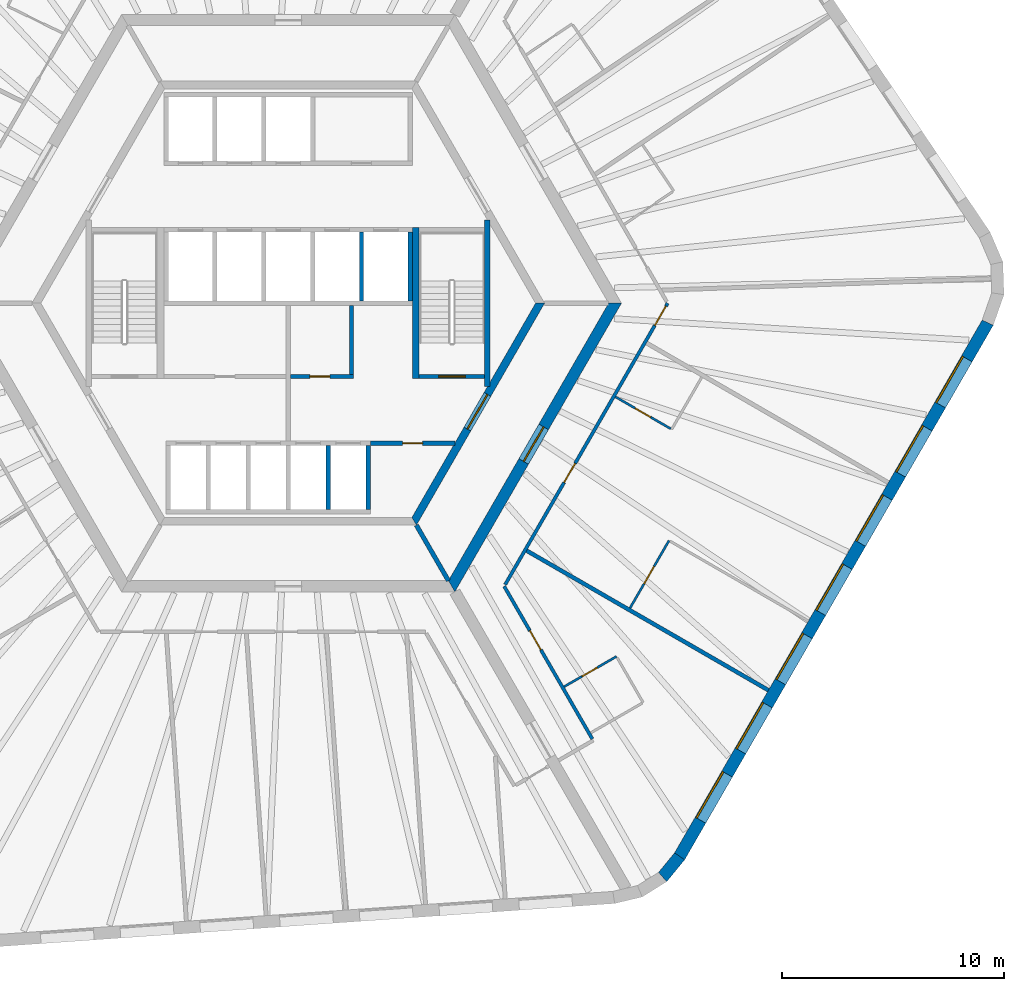
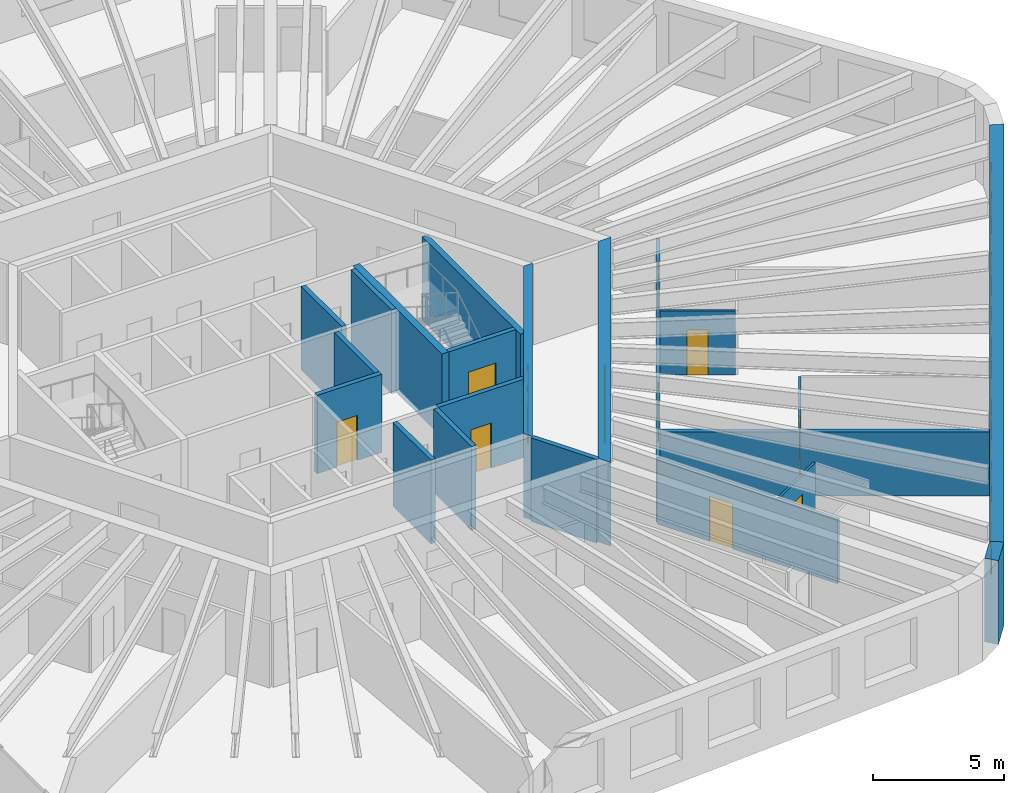
# One storey, part 5 of 10: 21 walls, 11 doors, 7 windows, 18 openings.
"""IFC4 building model written with IfcOpenShell, lengths in metres."""

from ifc_helpers import new_model, si_unit, direction, frame, frame_2d, origin, place, context, subcontext, project, spatial, polyline, rectangle, outline, extrude, material, layer, layer_set, type_object, element, fill, save


model = new_model("IFC4")

# Units and contexts
model_context = context("Model", 3, precision=1e-05, world=origin(), true_north=direction((0.0, 1.0)))
body_context = subcontext(model_context, "Body", "Model", "MODEL_VIEW")
ifc_project = project(units=[si_unit("LENGTHUNIT", "METRE"), si_unit("AREAUNIT", "SQUARE_METRE"), si_unit("VOLUMEUNIT", "CUBIC_METRE"), si_unit("PLANEANGLEUNIT", "RADIAN"), si_unit("MASSUNIT", "GRAM", prefix="KILO")], contexts=[model_context])

# Site, building, storey
site_placement = place(None, origin())
site = spatial("IfcSite", under=ifc_project, at=site_placement, CompositionType="ELEMENT")
building_placement = place(site_placement, origin())
building = spatial("IfcBuilding", under=site, at=building_placement, Name="Tarnside Tower", CompositionType="ELEMENT")
storey_placement = place(building_placement, frame((0.0, 0.0, 230.699951171875)))
storey = spatial("IfcBuildingStorey", under=building, at=storey_placement, Name="L55", CompositionType="ELEMENT", Elevation=230.699951171875)

# Wall, opening, door
ifc_material_1 = material(Name="Gypsum board partition on steel studs", Category="steel")
ifc_layer_1 = layer(ifc_material_1, 0.10009765625)
ifc_layer_set_1 = layer_set([ifc_layer_1], Name="Bathroom wall 100")
wall_type_1 = type_object("IfcWallType", Name="Bathroom wall 100", PredefinedType="PARTITIONING", material=ifc_layer_set_1)
wall_1_placement = place(storey_placement, frame((12.4267578125, -17.273681640625, 0.0), z_axis=(0.0, 0.0, 1.0), x_axis=(0.866051307416, 0.49995513091, 0.0)))
wall_1 = element("IfcWall", 1, at=wall_1_placement, inside=storey, type_object=wall_type_1, Name="Bathroom wall 18087", PredefinedType="PARTITIONING", context=body_context, shape_type="SweptSolid", body=[
    extrude(rectangle(XDim=2.724853515625, YDim=0.10009765625, at=frame_2d((1.3623046875, 0.0))), origin(), (0.0, 0.0, 1.0), 2.98779296875),
])
opening_1_placement = place(wall_1_placement, frame((0.925048828125, 0.0, 0.0)))
opening_1 = element("IfcOpeningElement", 2, at=opening_1_placement, cuts=wall_1, Name="Opening D-B1", PredefinedType="OPENING", context=body_context, shape_type="SweptSolid", body=[
    extrude(rectangle(XDim=0.800048828125, YDim=2.10009765625, at=frame_2d((0.39990234375, 1.050048828125))), frame((0.0, 0.06005859375, 0.0), z_axis=(0.0, -1.0, 0.0), x_axis=(1.0, 0.0, 0.0)), (0.0, 0.0, 1.0), 0.1201171875),
])
ifc_material_2 = material(Name="Timber door leaf", Category="wood")
door_type_1 = type_object("IfcDoorType", Name="Bathroom door 800", OperationType="NOTDEFINED", PredefinedType="DOOR", material=ifc_material_2)
door_1_placement = place(opening_1_placement, origin())
door_1 = element("IfcDoor", 3, at=door_1_placement, inside=storey, type_object=door_type_1, Name="Bathroom door 18025", OperationType="SINGLE_SWING_RIGHT", OverallHeight=2.10009765625, OverallWidth=0.800048828125, PredefinedType="DOOR", context=body_context, shape_type="SweptSolid", body=[
    extrude(rectangle(XDim=0.800048828125, YDim=2.10009765625, at=frame_2d((0.39990234375, 1.050048828125))), frame((0.0, 0.02490234375, 0.0), z_axis=(0.0, -1.0, 0.0), x_axis=(1.0, 0.0, 0.0)), (0.0, 0.0, 1.0), 0.050048828125),
])
fill(opening_1, door_1)

wall_2_placement = place(storey_placement, frame((17.23095703125, -5.6552734375, 0.0), z_axis=(0.0, 0.0, 1.0), x_axis=(-0.866039941686, 0.499974818771, 0.0)))
wall_2 = element("IfcWall", 4, at=wall_2_placement, inside=storey, type_object=wall_type_1, Name="Bathroom wall 18093", PredefinedType="PARTITIONING", context=body_context, shape_type="SweptSolid", body=[
    extrude(rectangle(XDim=2.875244140625, YDim=0.10009765625, at=frame_2d((1.4375, 0.0))), origin(), (0.0, 0.0, 1.0), 2.98779296875),
])
opening_2_placement = place(wall_2_placement, frame((1.050048828125, 0.0, 0.0)))
opening_2 = element("IfcOpeningElement", 5, at=opening_2_placement, cuts=wall_2, Name="Opening D-B1", PredefinedType="OPENING", context=body_context, shape_type="SweptSolid", body=[
    extrude(rectangle(XDim=0.800048828125, YDim=2.10009765625, at=frame_2d((0.39990234375, 1.050048828125))), frame((0.0, 0.06005859375, 0.0), z_axis=(0.0, -1.0, 0.0), x_axis=(1.0, 0.0, 0.0)), (0.0, 0.0, 1.0), 0.1201171875),
])
door_2_placement = place(opening_2_placement, origin())
door_2 = element("IfcDoor", 6, at=door_2_placement, inside=storey, type_object=door_type_1, Name="Bathroom door 18027", OperationType="SINGLE_SWING_LEFT", OverallHeight=2.10009765625, OverallWidth=0.800048828125, PredefinedType="DOOR", context=body_context, shape_type="SweptSolid", body=[
    extrude(rectangle(XDim=0.800048828125, YDim=2.10009765625, at=frame_2d((0.39990234375, 1.050048828125))), frame((0.0, 0.02490234375, 0.0), z_axis=(0.0, -1.0, 0.0), x_axis=(1.0, 0.0, 0.0)), (0.0, 0.0, 1.0), 0.050048828125),
])
fill(opening_2, door_2)

ifc_material_3 = material(Name="Concrete C50/60", Category="concrete")
ifc_layer_2 = layer(ifc_material_3, 0.35009765625)
ifc_layer_set_2 = layer_set([ifc_layer_2], Name="Core block wall 350 C50/60")
wall_type_2 = type_object("IfcWallType", Name="Core block wall 350 C50/60", PredefinedType="SHEAR", material=ifc_layer_set_2)
wall_3_placement = place(storey_placement, frame((5.672607421875, -9.824951171875, -0.14990234375), z_axis=(0.0, 0.0, 1.0), x_axis=(0.499995046907, 0.866028263435, 0.0)))
wall_3 = element("IfcWall", 7, at=wall_3_placement, inside=storey, type_object=wall_type_2, Name="L55 core block wall face 5", PredefinedType="SHEAR", context=body_context, shape_type="SweptSolid", body=[
    extrude(outline(polyline([(-0.10107421875, -0.175048828125), (11.44580078125, -0.175048828125), (11.24365234375, 0.175048828125), (0.10107421875, 0.175048828125), (-0.10107421875, -0.175048828125)])), origin(), (0.0, 0.0, 1.0), 3.89990234375),
])
opening_3_placement = place(wall_3_placement, frame((4.80126953125, 0.0, 0.14990234375)))
opening_3 = element("IfcOpeningElement", 8, at=opening_3_placement, cuts=wall_3, Name="Opening CD-FFL", PredefinedType="OPENING", context=body_context, shape_type="SweptSolid", body=[
    extrude(rectangle(XDim=1.800048828125, YDim=2.39990234375, at=frame_2d((0.89990234375, 1.199951171875))), frame((0.0, 0.18505859375, 0.0), z_axis=(0.0, -1.0, 0.0), x_axis=(1.0, 0.0, 0.0)), (0.0, 0.0, 1.0), 0.3701171875),
])
ifc_material_4 = material(Name="Steel fire door", Category="steel")
door_type_2 = type_object("IfcDoorType", Name="Firefighting lobby double door FD60S 1800x2400", OperationType="NOTDEFINED", PredefinedType="DOOR", material=ifc_material_4)
door_3_placement = place(opening_3_placement, origin())
door_3 = element("IfcDoor", 9, at=door_3_placement, inside=storey, type_object=door_type_2, Name="L55 lobby block door P4", OperationType="DOUBLE_DOOR_SINGLE_SWING", OverallHeight=2.39990234375, OverallWidth=1.800048828125, PredefinedType="DOOR", context=body_context, shape_type="SweptSolid", body=[
    extrude(rectangle(XDim=1.800048828125, YDim=2.39990234375, at=frame_2d((0.89990234375, 1.199951171875))), frame((0.0, 0.02490234375, 0.0), z_axis=(0.0, -1.0, 0.0), x_axis=(1.0, 0.0, 0.0)), (0.0, 0.0, 1.0), 0.050048828125),
])
fill(opening_3, door_3)

ifc_material_5 = material(Name="Concrete C40/50", Category="concrete")
ifc_layer_3 = layer(ifc_material_5, 0.199951171875)
ifc_layer_set_3 = layer_set([ifc_layer_3], Name="Core room partition 200 C40/50")
wall_type_3 = type_object("IfcWallType", Name="Core room partition 200 C40/50", PredefinedType="PARTITIONING", material=ifc_layer_set_3)
wall_4_placement = place(storey_placement, frame((0.10009765625, -3.300048828125, 0.0), z_axis=(0.0, 0.0, 1.0), x_axis=(1.0, 0.0, 0.0)))
wall_4 = element("IfcWall", 10, at=wall_4_placement, inside=storey, type_object=wall_type_3, Name="L55 core partition R3S1", PredefinedType="PARTITIONING", context=body_context, shape_type="SweptSolid", body=[
    extrude(rectangle(XDim=2.849853515625, YDim=0.199951171875, at=frame_2d((1.4248046875, 0.0))), origin(), (0.0, 0.0, 1.0), 3.650146484375),
])
opening_4_placement = place(wall_4_placement, frame((0.875, 0.0, 0.0)))
opening_4 = element("IfcOpeningElement", 11, at=opening_4_placement, cuts=wall_4, Name="Opening CD-room", PredefinedType="OPENING", context=body_context, shape_type="SweptSolid", body=[
    extrude(rectangle(XDim=0.89990234375, YDim=2.10009765625, at=frame_2d((0.449951171875, 1.050048828125))), frame((0.0, 0.10986328125, 0.0), z_axis=(0.0, -1.0, 0.0), x_axis=(1.0, 0.0, 0.0)), (0.0, 0.0, 1.0), 0.219970703125),
])
door_type_3 = type_object("IfcDoorType", Name="Room door FD60 900x2100", OperationType="NOTDEFINED", PredefinedType="DOOR", material=ifc_material_4)
door_4_placement = place(opening_4_placement, origin())
door_4 = element("IfcDoor", 12, at=door_4_placement, inside=storey, type_object=door_type_3, Name="L55 core room door SR1", OperationType="SINGLE_SWING_LEFT", OverallHeight=2.10009765625, OverallWidth=0.89990234375, PredefinedType="DOOR", context=body_context, shape_type="SweptSolid", body=[
    extrude(rectangle(XDim=0.89990234375, YDim=2.10009765625, at=frame_2d((0.449951171875, 1.050048828125))), frame((0.0, 0.02490234375, 0.0), z_axis=(0.0, -1.0, 0.0), x_axis=(1.0, 0.0, 0.0)), (0.0, 0.0, 1.0), 0.050048828125),
])
fill(opening_4, door_4)

# Wall
wall_5_placement = place(storey_placement, frame((2.85009765625, -3.199951171875, 0.0), z_axis=(0.0, 0.0, 1.0), x_axis=(0.0, 1.0, 0.0)))
element("IfcWall", 13, at=wall_5_placement, inside=storey, type_object=wall_type_3, Name="L55 core partition R3P1b", PredefinedType="PARTITIONING", context=body_context, shape_type="SweptSolid", body=[
    extrude(rectangle(XDim=3.099853515625, YDim=0.199951171875, at=frame_2d((1.5498046875, 0.0))), origin(), (0.0, 0.0, 1.0), 3.650146484375),
])

# Wall, opening, door
wall_6_placement = place(storey_placement, frame((3.699951171875, -6.300048828125, 0.0), z_axis=(0.0, 0.0, 1.0), x_axis=(1.0, 0.0, 0.0)))
wall_6 = element("IfcWall", 14, at=wall_6_placement, inside=storey, type_object=wall_type_3, Name="L55 core partition R4X", PredefinedType="PARTITIONING", context=body_context, shape_type="SweptSolid", body=[
    extrude(rectangle(XDim=3.8056640625, YDim=0.199951171875, at=frame_2d((1.90283203125, 0.0))), origin(), (0.0, 0.0, 1.0), 3.650146484375),
])
opening_5_placement = place(wall_6_placement, frame((1.452880859375, 0.0, 0.0)))
opening_5 = element("IfcOpeningElement", 15, at=opening_5_placement, cuts=wall_6, Name="Opening CD-room", PredefinedType="OPENING", context=body_context, shape_type="SweptSolid", body=[
    extrude(rectangle(XDim=0.89990234375, YDim=2.10009765625, at=frame_2d((0.449951171875, 1.050048828125))), frame((0.0, 0.10986328125, 0.0), z_axis=(0.0, -1.0, 0.0), x_axis=(1.0, 0.0, 0.0)), (0.0, 0.0, 1.0), 0.219970703125),
])
door_5_placement = place(opening_5_placement, origin())
door_5 = element("IfcDoor", 16, at=door_5_placement, inside=storey, type_object=door_type_3, Name="L55 core room door RX", OperationType="SINGLE_SWING_LEFT", OverallHeight=2.10009765625, OverallWidth=0.89990234375, PredefinedType="DOOR", context=body_context, shape_type="SweptSolid", body=[
    extrude(rectangle(XDim=0.89990234375, YDim=2.10009765625, at=frame_2d((0.449951171875, 1.050048828125))), frame((0.0, 0.02490234375, 0.0), z_axis=(0.0, -1.0, 0.0), x_axis=(1.0, 0.0, 0.0)), (0.0, 0.0, 1.0), 0.050048828125),
])
fill(opening_5, door_5)

ifc_material_6 = material(Name="Concrete C70/85", Category="concrete")
ifc_layer_4 = layer(ifc_material_6, 0.5)
ifc_layer_set_4 = layer_set([ifc_layer_4], Name="Core wall Z2 500 C70/85")
wall_type_4 = type_object("IfcWallType", Name="Core wall Z2 500 C70/85", PredefinedType="SHEAR", material=ifc_layer_set_4)
wall_7_placement = place(storey_placement, frame((7.361083984375, -12.75, -0.14990234375), z_axis=(0.0, 0.0, 1.0), x_axis=(0.50000571537, 0.866022103989, 0.0)))
wall_7 = element("IfcWall", 17, at=wall_7_placement, inside=storey, type_object=wall_type_4, Name="L55 core wall face 5", PredefinedType="SHEAR", context=body_context, shape_type="SweptSolid", body=[
    extrude(outline(polyline([(-0.144287109375, -0.25), (14.86669921875, -0.25), (14.578125, 0.25), (0.144287109375, 0.25), (-0.144287109375, -0.25)])), origin(), (0.0, 0.0, 1.0), 3.89990234375),
])
opening_6_placement = place(wall_7_placement, frame((6.489990234375, 0.0, 0.14990234375)))
opening_6 = element("IfcOpeningElement", 18, at=opening_6_placement, cuts=wall_7, Name="Opening CD-FFL", PredefinedType="OPENING", context=body_context, shape_type="SweptSolid", body=[
    extrude(rectangle(XDim=1.800048828125, YDim=2.39990234375, at=frame_2d((0.89990234375, 1.199951171875))), frame((0.0, 0.260009765625, 0.0), z_axis=(0.0, -1.0, 0.0), x_axis=(1.0, 0.0, 0.0)), (0.0, 0.0, 1.0), 0.52001953125),
])
door_6_placement = place(opening_6_placement, origin())
door_6 = element("IfcDoor", 19, at=door_6_placement, inside=storey, type_object=door_type_2, Name="L55 core door P4", OperationType="DOUBLE_DOOR_SINGLE_SWING", OverallHeight=2.39990234375, OverallWidth=1.800048828125, PredefinedType="DOOR", context=body_context, shape_type="SweptSolid", body=[
    extrude(rectangle(XDim=1.800048828125, YDim=2.39990234375, at=frame_2d((0.89990234375, 1.199951171875))), frame((0.0, 0.02490234375, 0.0), z_axis=(0.0, -1.0, 0.0), x_axis=(1.0, 0.0, 0.0)), (0.0, 0.0, 1.0), 0.050048828125),
])
fill(opening_6, door_6)

ifc_layer_5 = layer(ifc_material_1, 0.14990234375)
ifc_layer_set_5 = layer_set([ifc_layer_5], Name="Corridor wall 150 EI 60")
wall_type_5 = type_object("IfcWallType", Name="Corridor wall 150 EI 60", PredefinedType="PARTITIONING", material=ifc_layer_set_5)
wall_8_placement = place(storey_placement, frame((13.69921875, -19.6279296875, 0.0), z_axis=(0.0, 0.0, 1.0), x_axis=(-0.499997422768, 0.866026891745, 0.0)))
wall_8 = element("IfcWall", 20, at=wall_8_placement, inside=storey, type_object=wall_type_5, Name="Corridor wall 18034", PredefinedType="PARTITIONING", context=body_context, shape_type="SweptSolid", body=[
    extrude(rectangle(XDim=7.94189453125, YDim=0.14990234375, at=frame_2d((3.970947265625, 0.0))), origin(), (0.0, 0.0, 1.0), 2.98779296875),
])
opening_7_placement = place(wall_8_placement, frame((4.633544921875, 0.0, 0.0)))
opening_7 = element("IfcOpeningElement", 21, at=opening_7_placement, cuts=wall_8, Name="Opening D-E1", PredefinedType="OPENING", context=body_context, shape_type="SweptSolid", body=[
    extrude(rectangle(XDim=1.0, YDim=2.10009765625, at=frame_2d((0.5, 1.050048828125))), frame((0.0, 0.0849609375, 0.0), z_axis=(0.0, -1.0, 0.0), x_axis=(1.0, 0.0, 0.0)), (0.0, 0.0, 1.0), 0.169921875),
])
door_type_4 = type_object("IfcDoorType", Name="Unit entrance door 1000 FD30S", OperationType="NOTDEFINED", PredefinedType="DOOR", material=ifc_material_2)
door_7_placement = place(opening_7_placement, origin())
door_7 = element("IfcDoor", 22, at=door_7_placement, inside=storey, type_object=door_type_4, Name="Unit door 18024", OperationType="SINGLE_SWING_LEFT", OverallHeight=2.10009765625, OverallWidth=1.0, PredefinedType="DOOR", context=body_context, shape_type="SweptSolid", body=[
    extrude(rectangle(XDim=1.0, YDim=2.10009765625, at=frame_2d((0.5, 1.050048828125))), frame((0.0, 0.02490234375, 0.0), z_axis=(0.0, -1.0, 0.0), x_axis=(1.0, 0.0, 0.0)), (0.0, 0.0, 1.0), 0.050048828125),
])
fill(opening_7, door_7)

# Wall, openings, doors
wall_9_placement = place(storey_placement, frame((9.771728515625, -12.675048828125, 0.0), z_axis=(0.0, 0.0, 1.0), x_axis=(0.499996322767, 0.866027526826, 0.0)))
wall_9 = element("IfcWall", 23, at=wall_9_placement, inside=storey, type_object=wall_type_5, Name="Corridor wall 18035", PredefinedType="PARTITIONING", context=body_context, shape_type="SweptSolid", body=[
    extrude(rectangle(XDim=14.6357421875, YDim=0.14990234375, at=frame_2d((7.31787109375, 0.0))), origin(), (0.0, 0.0, 1.0), 2.98779296875),
])
opening_8_placement = place(wall_9_placement, frame((5.308837890625, 0.0, 0.0)))
opening_8 = element("IfcOpeningElement", 24, at=opening_8_placement, cuts=wall_9, Name="Opening D-E1", PredefinedType="OPENING", context=body_context, shape_type="SweptSolid", body=[
    extrude(rectangle(XDim=1.0, YDim=2.10009765625, at=frame_2d((0.5, 1.050048828125))), frame((0.0, 0.0849609375, 0.0), z_axis=(0.0, -1.0, 0.0), x_axis=(1.0, 0.0, 0.0)), (0.0, 0.0, 1.0), 0.169921875),
])
opening_9_placement = place(wall_9_placement, frame((13.48583984375, 0.0, 0.0)))
opening_9 = element("IfcOpeningElement", 25, at=opening_9_placement, cuts=wall_9, Name="Opening D-E1", PredefinedType="OPENING", context=body_context, shape_type="SweptSolid", body=[
    extrude(rectangle(XDim=1.0, YDim=2.10009765625, at=frame_2d((0.5, 1.050048828125))), frame((0.0, 0.0849609375, 0.0), z_axis=(0.0, -1.0, 0.0), x_axis=(1.0, 0.0, 0.0)), (0.0, 0.0, 1.0), 0.169921875),
])
door_8_placement = place(opening_8_placement, origin())
door_8 = element("IfcDoor", 26, at=door_8_placement, inside=storey, type_object=door_type_4, Name="Unit door 18026", OperationType="SINGLE_SWING_LEFT", OverallHeight=2.10009765625, OverallWidth=1.0, PredefinedType="DOOR", context=body_context, shape_type="SweptSolid", body=[
    extrude(rectangle(XDim=1.0, YDim=2.10009765625, at=frame_2d((0.5, 1.050048828125))), frame((0.0, 0.02490234375, 0.0), z_axis=(0.0, -1.0, 0.0), x_axis=(1.0, 0.0, 0.0)), (0.0, 0.0, 1.0), 0.050048828125),
])
fill(opening_8, door_8)
door_9_placement = place(opening_9_placement, origin())
door_9 = element("IfcDoor", 27, at=door_9_placement, inside=storey, type_object=door_type_4, Name="Unit door 18029", OperationType="SINGLE_SWING_LEFT", OverallHeight=2.10009765625, OverallWidth=1.0, PredefinedType="DOOR", context=body_context, shape_type="SweptSolid", body=[
    extrude(rectangle(XDim=1.0, YDim=2.10009765625, at=frame_2d((0.5, 1.050048828125))), frame((0.0, 0.02490234375, 0.0), z_axis=(0.0, -1.0, 0.0), x_axis=(1.0, 0.0, 0.0)), (0.0, 0.0, 1.0), 0.050048828125),
])
fill(opening_9, door_9)

# Walls
ifc_layer_6 = layer(ifc_material_1, 0.179931640625)
ifc_layer_set_6 = layer_set([ifc_layer_6], Name="Demising wall 180 EI 60")
wall_type_6 = type_object("IfcWallType", Name="Demising wall 180 EI 60", PredefinedType="PARTITIONING", material=ifc_layer_set_6)
wall_10_placement = place(storey_placement, frame((21.63134765625, -17.433349609375, 0.0), z_axis=(0.0, 0.0, 1.0), x_axis=(-0.866032662629, 0.499987427101, 0.0)))
element("IfcWall", 28, at=wall_10_placement, inside=storey, type_object=wall_type_6, Name="Demising wall 18090", PredefinedType="PARTITIONING", context=body_context, shape_type="SweptSolid", body=[
    extrude(rectangle(XDim=12.574951171875, YDim=0.179931640625, at=frame_2d((6.28759765625, 0.0))), origin(), (0.0, 0.0, 1.0), 2.98779296875),
])
ifc_layer_7 = layer(ifc_material_5, 0.199951171875)
ifc_layer_set_7 = layer_set([ifc_layer_7], Name="Lift shaft wall 200 C40/50")
wall_type_7 = type_object("IfcWallType", Name="Lift shaft wall 200 C40/50", PredefinedType="SHEAR", material=ifc_layer_set_7)
for number, where, z_axis, x_axis, name in (
    (29, (3.300048828125, 0.10009765625, -0.25), (0.0, 0.0, 1.0), (0.0, 1.0, 0.0), "L55 lift shaft partition R25"),
    (30, (5.5, 0.10009765625, -0.25), (0.0, 0.0, 1.0), (0.0, 1.0, 0.0), "L55 lift shaft partition R26"),
):
    element("IfcWall", number, at=place(storey_placement, frame(where, z_axis=z_axis, x_axis=x_axis)), inside=storey, type_object=wall_type_7, Name=name, PredefinedType="SHEAR", context=body_context, shape_type="SweptSolid", body=[
        extrude(rectangle(XDim=3.099853515625, YDim=0.199951171875, at=frame_2d((1.5498046875, 0.0))), origin(), (0.0, 0.0, 1.0), 3.900146484375),
    ])
for number, where, z_axis, x_axis, name in (
    (31, (1.800048828125, -9.300048828125, -0.25), (0.0, 0.0, 1.0), (0.0, 1.0, 0.0), "L55 lift shaft partition R45"),
    (32, (3.60009765625, -9.300048828125, -0.25), (0.0, 0.0, 1.0), (0.0, 1.0, 0.0), "L55 lift shaft partition R46"),
):
    element("IfcWall", number, at=place(storey_placement, frame(where, z_axis=z_axis, x_axis=x_axis)), inside=storey, type_object=wall_type_7, Name=name, PredefinedType="SHEAR", context=body_context, shape_type="SweptSolid", body=[
        extrude(rectangle(XDim=2.900146484375, YDim=0.199951171875, at=frame_2d((1.4501953125, 0.0))), origin(), (0.0, 0.0, 1.0), 3.900146484375),
    ])
wall_11_placement = place(storey_placement, frame((5.7734375, -10.0, -0.14990234375), z_axis=(0.0, 0.0, 1.0), x_axis=(0.499995765644, -0.866027848477, 0.0)))
element("IfcWall", 33, at=wall_11_placement, inside=storey, type_object=wall_type_7, Name="L55 core partition AR300", PredefinedType="SHEAR", context=body_context, shape_type="SweptSolid", body=[
    extrude(rectangle(XDim=2.88671875, YDim=0.199951171875, at=frame_2d((1.443359375, 0.0))), origin(), (0.0, 0.0, 1.0), 3.89990234375),
])

# Wall, opening, door
wall_12_placement = place(storey_placement, frame((5.89990234375, -3.300048828125, -0.25), z_axis=(0.0, 0.0, 1.0), x_axis=(1.0, 0.0, 0.0)))
wall_12 = element("IfcWall", 34, at=wall_12_placement, inside=storey, type_object=wall_type_7, Name="L55 stair 1 enclosure cap wall s", PredefinedType="SHEAR", context=body_context, shape_type="SweptSolid", body=[
    extrude(rectangle(XDim=2.9501953125, YDim=0.199951171875, at=frame_2d((1.47509765625, 0.0))), origin(), (0.0, 0.0, 1.0), 3.900146484375),
])
opening_10_placement = place(wall_12_placement, frame((0.875, 0.0, 0.25)))
opening_10 = element("IfcOpeningElement", 35, at=opening_10_placement, cuts=wall_12, Name="Opening CD-STR", PredefinedType="OPENING", context=body_context, shape_type="SweptSolid", body=[
    extrude(rectangle(XDim=1.199951171875, YDim=2.39990234375, at=frame_2d((0.60009765625, 1.199951171875))), frame((0.0, 0.10986328125, 0.0), z_axis=(0.0, -1.0, 0.0), x_axis=(1.0, 0.0, 0.0)), (0.0, 0.0, 1.0), 0.219970703125),
])
door_type_5 = type_object("IfcDoorType", Name="Stair door FD60S 1200x2400", OperationType="NOTDEFINED", PredefinedType="DOOR", material=ifc_material_4)
door_10_placement = place(opening_10_placement, origin())
door_10 = element("IfcDoor", 36, at=door_10_placement, inside=storey, type_object=door_type_5, Name="L55 stair 1 door", OperationType="SINGLE_SWING_LEFT", OverallHeight=2.39990234375, OverallWidth=1.199951171875, PredefinedType="DOOR", context=body_context, shape_type="SweptSolid", body=[
    extrude(rectangle(XDim=1.199951171875, YDim=2.39990234375, at=frame_2d((0.60009765625, 1.199951171875))), frame((0.0, 0.02490234375, 0.0), z_axis=(0.0, -1.0, 0.0), x_axis=(1.0, 0.0, 0.0)), (0.0, 0.0, 1.0), 0.050048828125),
])
fill(opening_10, door_10)

ifc_layer_8 = layer(ifc_material_1, 0.10009765625)
ifc_layer_set_8 = layer_set([ifc_layer_8], Name="Partition 100")
wall_type_8 = type_object("IfcWallType", Name="Partition 100", PredefinedType="PARTITIONING", material=ifc_layer_set_8)
wall_13_placement = place(storey_placement, frame((15.397705078125, -13.73046875, 0.0), z_axis=(0.0, 0.0, 1.0), x_axis=(0.499969314921, 0.866043119098, 0.0)))
wall_13 = element("IfcWall", 37, at=wall_13_placement, inside=storey, type_object=wall_type_8, Name="Partition wall 18094", PredefinedType="PARTITIONING", context=body_context, shape_type="SweptSolid", body=[
    extrude(rectangle(XDim=3.510009765625, YDim=0.10009765625, at=frame_2d((1.7548828125, 0.0))), origin(), (0.0, 0.0, 1.0), 2.98779296875),
])
opening_11_placement = place(wall_13_placement, frame((1.260009765625, 0.0, 0.0)))
opening_11 = element("IfcOpeningElement", 38, at=opening_11_placement, cuts=wall_13, Name="Opening D-I1", PredefinedType="OPENING", context=body_context, shape_type="SweptSolid", body=[
    extrude(rectangle(XDim=0.89990234375, YDim=2.10009765625, at=frame_2d((0.449951171875, 1.050048828125))), frame((0.0, 0.06005859375, 0.0), z_axis=(0.0, -1.0, 0.0), x_axis=(1.0, 0.0, 0.0)), (0.0, 0.0, 1.0), 0.1201171875),
])
door_type_6 = type_object("IfcDoorType", Name="Internal door 900", OperationType="NOTDEFINED", PredefinedType="DOOR", material=ifc_material_2)
door_11_placement = place(opening_11_placement, origin())
door_11 = element("IfcDoor", 39, at=door_11_placement, inside=storey, type_object=door_type_6, Name="Internal door 18028", OperationType="SINGLE_SWING_RIGHT", OverallHeight=2.10009765625, OverallWidth=0.89990234375, PredefinedType="DOOR", context=body_context, shape_type="SweptSolid", body=[
    extrude(rectangle(XDim=0.89990234375, YDim=2.10009765625, at=frame_2d((0.449951171875, 1.050048828125))), frame((0.0, 0.02490234375, 0.0), z_axis=(0.0, -1.0, 0.0), x_axis=(1.0, 0.0, 0.0)), (0.0, 0.0, 1.0), 0.050048828125),
])
fill(opening_11, door_11)

# Walls
ifc_layer_9 = layer(ifc_material_5, 0.25)
ifc_layer_set_9 = layer_set([ifc_layer_9], Name="Stair enclosure wall 250 C40/50")
wall_type_9 = type_object("IfcWallType", Name="Stair enclosure wall 250 C40/50", PredefinedType="SHEAR", material=ifc_layer_set_9)
wall_14_placement = place(storey_placement, frame((8.97509765625, -3.7548828125, -0.25), z_axis=(0.0, 0.0, 1.0), x_axis=(0.0, 1.0, 0.0)))
element("IfcWall", 40, at=wall_14_placement, inside=storey, type_object=wall_type_9, Name="L55 stair 1 enclosure wall outer", PredefinedType="SHEAR", context=body_context, shape_type="SweptSolid", body=[
    extrude(rectangle(XDim=7.509765625, YDim=0.25, at=frame_2d((3.7548828125, 0.0))), origin(), (0.0, 0.0, 1.0), 3.900146484375),
])
ifc_layer_10 = layer(ifc_material_5, 0.300048828125)
ifc_layer_set_10 = layer_set([ifc_layer_10], Name="Stair enclosure wall 300 C40/50")
wall_type_10 = type_object("IfcWallType", Name="Stair enclosure wall 300 C40/50", PredefinedType="SHEAR", material=ifc_layer_set_10)
wall_15_placement = place(storey_placement, frame((5.75, -3.39990234375, -0.25), z_axis=(0.0, 0.0, 1.0), x_axis=(0.0, 1.0, 0.0)))
element("IfcWall", 41, at=wall_15_placement, inside=storey, type_object=wall_type_10, Name="L55 stair 1 enclosure wall inner", PredefinedType="SHEAR", context=body_context, shape_type="SweptSolid", body=[
    extrude(rectangle(XDim=6.7998046875, YDim=0.300048828125, at=frame_2d((3.39990234375, 0.0))), origin(), (0.0, 0.0, 1.0), 3.900146484375),
])
ifc_material_7 = material(Name="Facing brick", Category="masonry")
ifc_layer_11 = layer(ifc_material_7, 0.10205078125)
ifc_material_8 = material(Name="Concrete C60/75 precast", Category="concrete")
ifc_layer_12 = layer(ifc_material_8, 0.347900390625)
ifc_material_9 = material(Name="Mineral wool insulation")
ifc_layer_13 = layer(ifc_material_9, 0.10009765625)
ifc_layer_set_11 = layer_set([ifc_layer_11, ifc_layer_12, ifc_layer_13], Name="Tube wall 550 brick faced")
wall_type_11 = type_object("IfcWallType", Name="Tube wall 550 brick faced", PredefinedType="SOLIDWALL", material=ifc_layer_set_11)
wall_16_placement = place(storey_placement, frame((16.8642578125, -25.848388671875, -0.14990234375), z_axis=(0.0, 0.0, 1.0), x_axis=(0.633842757806, 0.773461930787, 0.0)))
element("IfcWall", 42, at=wall_16_placement, inside=storey, type_object=wall_type_11, Name="Tube wall L55 F4 chord 15", PredefinedType="SOLIDWALL", context=body_context, shape_type="SweptSolid", body=[
    extrude(outline(polyline([(-0.045166015625, -0.27490234375), (1.230712890625, -0.27490234375), (1.185791015625, 0.27490234375), (0.045166015625, 0.27490234375), (-0.045166015625, -0.27490234375)])), origin(), (0.0, 0.0, 1.0), 3.89990234375),
])

# Wall, openings, windows
wall_17_placement = place(storey_placement, frame((17.630126953125, -24.913818359375, -0.14990234375), z_axis=(0.0, 0.0, 1.0), x_axis=(0.499998569178, 0.866026229868, 0.0)))
wall_17 = element("IfcWall", 43, at=wall_17_placement, inside=storey, type_object=wall_type_11, Name="Tube wall L55 F5 flush 16", PredefinedType="SOLIDWALL", context=body_context, shape_type="SweptSolid", body=[
    extrude(outline(polyline([(-0.0224609375, -0.27490234375), (27.783447265625, -0.27490234375), (27.732177734375, 0.27490234375), (0.0224609375, 0.27490234375), (-0.0224609375, -0.27490234375)])), origin(), (0.0, 0.0, 1.0), 3.89990234375),
])
opening_12_placement = place(wall_17_placement, frame((1.87890625, 0.0, 1.050048828125)))
opening_12 = element("IfcOpeningElement", 44, at=opening_12_placement, cuts=wall_17, Name="Opening WH", PredefinedType="OPENING", context=body_context, shape_type="SweptSolid", body=[
    extrude(rectangle(XDim=2.39990234375, YDim=2.39990234375, at=frame_2d((1.199951171875, 1.199951171875))), frame((0.0, 0.28515625, 0.0), z_axis=(0.0, -1.0, 0.0), x_axis=(1.0, 0.0, 0.0)), (0.0, 0.0, 1.0), 0.570068359375),
])
opening_13_placement = place(wall_17_placement, frame((5.47900390625, 0.0, 1.050048828125)))
opening_13 = element("IfcOpeningElement", 45, at=opening_13_placement, cuts=wall_17, Name="Opening WH", PredefinedType="OPENING", context=body_context, shape_type="SweptSolid", body=[
    extrude(rectangle(XDim=2.39990234375, YDim=2.39990234375, at=frame_2d((1.199951171875, 1.199951171875))), frame((0.0, 0.28515625, 0.0), z_axis=(0.0, -1.0, 0.0), x_axis=(1.0, 0.0, 0.0)), (0.0, 0.0, 1.0), 0.570068359375),
])
opening_14_placement = place(wall_17_placement, frame((9.078857421875, 0.0, 1.050048828125)))
opening_14 = element("IfcOpeningElement", 46, at=opening_14_placement, cuts=wall_17, Name="Opening WH", PredefinedType="OPENING", context=body_context, shape_type="SweptSolid", body=[
    extrude(rectangle(XDim=2.39990234375, YDim=2.39990234375, at=frame_2d((1.199951171875, 1.199951171875))), frame((0.0, 0.28515625, 0.0), z_axis=(0.0, -1.0, 0.0), x_axis=(1.0, 0.0, 0.0)), (0.0, 0.0, 1.0), 0.570068359375),
])
opening_15_placement = place(wall_17_placement, frame((12.678955078125, 0.0, 1.050048828125)))
opening_15 = element("IfcOpeningElement", 47, at=opening_15_placement, cuts=wall_17, Name="Opening WH", PredefinedType="OPENING", context=body_context, shape_type="SweptSolid", body=[
    extrude(rectangle(XDim=2.39990234375, YDim=2.39990234375, at=frame_2d((1.199951171875, 1.199951171875))), frame((0.0, 0.28515625, 0.0), z_axis=(0.0, -1.0, 0.0), x_axis=(1.0, 0.0, 0.0)), (0.0, 0.0, 1.0), 0.570068359375),
])
opening_16_placement = place(wall_17_placement, frame((16.27880859375, 0.0, 1.050048828125)))
opening_16 = element("IfcOpeningElement", 48, at=opening_16_placement, cuts=wall_17, Name="Opening WH", PredefinedType="OPENING", context=body_context, shape_type="SweptSolid", body=[
    extrude(rectangle(XDim=2.39990234375, YDim=2.39990234375, at=frame_2d((1.199951171875, 1.199951171875))), frame((0.0, 0.28515625, 0.0), z_axis=(0.0, -1.0, 0.0), x_axis=(1.0, 0.0, 0.0)), (0.0, 0.0, 1.0), 0.570068359375),
])
opening_17_placement = place(wall_17_placement, frame((19.87890625, 0.0, 1.050048828125)))
opening_17 = element("IfcOpeningElement", 49, at=opening_17_placement, cuts=wall_17, Name="Opening WH", PredefinedType="OPENING", context=body_context, shape_type="SweptSolid", body=[
    extrude(rectangle(XDim=2.39990234375, YDim=2.39990234375, at=frame_2d((1.199951171875, 1.199951171875))), frame((0.0, 0.28515625, 0.0), z_axis=(0.0, -1.0, 0.0), x_axis=(1.0, 0.0, 0.0)), (0.0, 0.0, 1.0), 0.570068359375),
])
opening_18_placement = place(wall_17_placement, frame((23.47900390625, 0.0, 1.050048828125)))
opening_18 = element("IfcOpeningElement", 50, at=opening_18_placement, cuts=wall_17, Name="Opening WH", PredefinedType="OPENING", context=body_context, shape_type="SweptSolid", body=[
    extrude(rectangle(XDim=2.39990234375, YDim=2.39990234375, at=frame_2d((1.199951171875, 1.199951171875))), frame((0.0, 0.28515625, 0.0), z_axis=(0.0, -1.0, 0.0), x_axis=(1.0, 0.0, 0.0)), (0.0, 0.0, 1.0), 0.570068359375),
])
ifc_material_10 = material(Name="Aluminium-framed double glazing", Category="aluminium")
window_type = type_object("IfcWindowType", Name="Hotel window 2400 x 2400", PartitioningType="DOUBLE_PANEL_VERTICAL", PredefinedType="WINDOW", material=ifc_material_10)
window_1_placement = place(opening_12_placement, frame((0.0, 0.205078125, 0.0)))
window_1 = element("IfcWindow", 51, at=window_1_placement, inside=storey, type_object=window_type, Name="E.WN.L55.F5.00", OverallHeight=2.39990234375, OverallWidth=2.39990234375, PartitioningType="DOUBLE_PANEL_VERTICAL", PredefinedType="WINDOW", context=body_context, shape_type="SweptSolid", body=[
    extrude(rectangle(XDim=2.39990234375, YDim=2.39990234375, at=frame_2d((1.199951171875, 1.199951171875))), frame((0.0, 0.030029296875, 0.0), z_axis=(0.0, -1.0, 0.0), x_axis=(1.0, 0.0, 0.0)), (0.0, 0.0, 1.0), 0.06005859375),
])
fill(opening_12, window_1)
window_2_placement = place(opening_13_placement, frame((0.0, 0.205078125, 0.0)))
window_2 = element("IfcWindow", 52, at=window_2_placement, inside=storey, type_object=window_type, Name="E.WN.L55.F5.01", OverallHeight=2.39990234375, OverallWidth=2.39990234375, PartitioningType="DOUBLE_PANEL_VERTICAL", PredefinedType="WINDOW", context=body_context, shape_type="SweptSolid", body=[
    extrude(rectangle(XDim=2.39990234375, YDim=2.39990234375, at=frame_2d((1.199951171875, 1.199951171875))), frame((0.0, 0.030029296875, 0.0), z_axis=(0.0, -1.0, 0.0), x_axis=(1.0, 0.0, 0.0)), (0.0, 0.0, 1.0), 0.06005859375),
])
fill(opening_13, window_2)
window_3_placement = place(opening_14_placement, frame((0.0, 0.205078125, 0.0)))
window_3 = element("IfcWindow", 53, at=window_3_placement, inside=storey, type_object=window_type, Name="E.WN.L55.F5.02", OverallHeight=2.39990234375, OverallWidth=2.39990234375, PartitioningType="DOUBLE_PANEL_VERTICAL", PredefinedType="WINDOW", context=body_context, shape_type="SweptSolid", body=[
    extrude(rectangle(XDim=2.39990234375, YDim=2.39990234375, at=frame_2d((1.199951171875, 1.199951171875))), frame((0.0, 0.030029296875, 0.0), z_axis=(0.0, -1.0, 0.0), x_axis=(1.0, 0.0, 0.0)), (0.0, 0.0, 1.0), 0.06005859375),
])
fill(opening_14, window_3)
window_4_placement = place(opening_15_placement, frame((0.0, 0.205078125, 0.0)))
window_4 = element("IfcWindow", 54, at=window_4_placement, inside=storey, type_object=window_type, Name="E.WN.L55.F5.03", OverallHeight=2.39990234375, OverallWidth=2.39990234375, PartitioningType="DOUBLE_PANEL_VERTICAL", PredefinedType="WINDOW", context=body_context, shape_type="SweptSolid", body=[
    extrude(rectangle(XDim=2.39990234375, YDim=2.39990234375, at=frame_2d((1.199951171875, 1.199951171875))), frame((0.0, 0.030029296875, 0.0), z_axis=(0.0, -1.0, 0.0), x_axis=(1.0, 0.0, 0.0)), (0.0, 0.0, 1.0), 0.06005859375),
])
fill(opening_15, window_4)
window_5_placement = place(opening_16_placement, frame((0.0, 0.205078125, 0.0)))
window_5 = element("IfcWindow", 55, at=window_5_placement, inside=storey, type_object=window_type, Name="E.WN.L55.F5.04", OverallHeight=2.39990234375, OverallWidth=2.39990234375, PartitioningType="DOUBLE_PANEL_VERTICAL", PredefinedType="WINDOW", context=body_context, shape_type="SweptSolid", body=[
    extrude(rectangle(XDim=2.39990234375, YDim=2.39990234375, at=frame_2d((1.199951171875, 1.199951171875))), frame((0.0, 0.030029296875, 0.0), z_axis=(0.0, -1.0, 0.0), x_axis=(1.0, 0.0, 0.0)), (0.0, 0.0, 1.0), 0.06005859375),
])
fill(opening_16, window_5)
window_6_placement = place(opening_17_placement, frame((0.0, 0.205078125, 0.0)))
window_6 = element("IfcWindow", 56, at=window_6_placement, inside=storey, type_object=window_type, Name="E.WN.L55.F5.05", OverallHeight=2.39990234375, OverallWidth=2.39990234375, PartitioningType="DOUBLE_PANEL_VERTICAL", PredefinedType="WINDOW", context=body_context, shape_type="SweptSolid", body=[
    extrude(rectangle(XDim=2.39990234375, YDim=2.39990234375, at=frame_2d((1.199951171875, 1.199951171875))), frame((0.0, 0.030029296875, 0.0), z_axis=(0.0, -1.0, 0.0), x_axis=(1.0, 0.0, 0.0)), (0.0, 0.0, 1.0), 0.06005859375),
])
fill(opening_17, window_6)
window_7_placement = place(opening_18_placement, frame((0.0, 0.205078125, 0.0)))
window_7 = element("IfcWindow", 57, at=window_7_placement, inside=storey, type_object=window_type, Name="E.WN.L55.F5.06", OverallHeight=2.39990234375, OverallWidth=2.39990234375, PartitioningType="DOUBLE_PANEL_VERTICAL", PredefinedType="WINDOW", context=body_context, shape_type="SweptSolid", body=[
    extrude(rectangle(XDim=2.39990234375, YDim=2.39990234375, at=frame_2d((1.199951171875, 1.199951171875))), frame((0.0, 0.030029296875, 0.0), z_axis=(0.0, -1.0, 0.0), x_axis=(1.0, 0.0, 0.0)), (0.0, 0.0, 1.0), 0.06005859375),
])
fill(opening_18, window_7)

save(model, "model.ifc")
